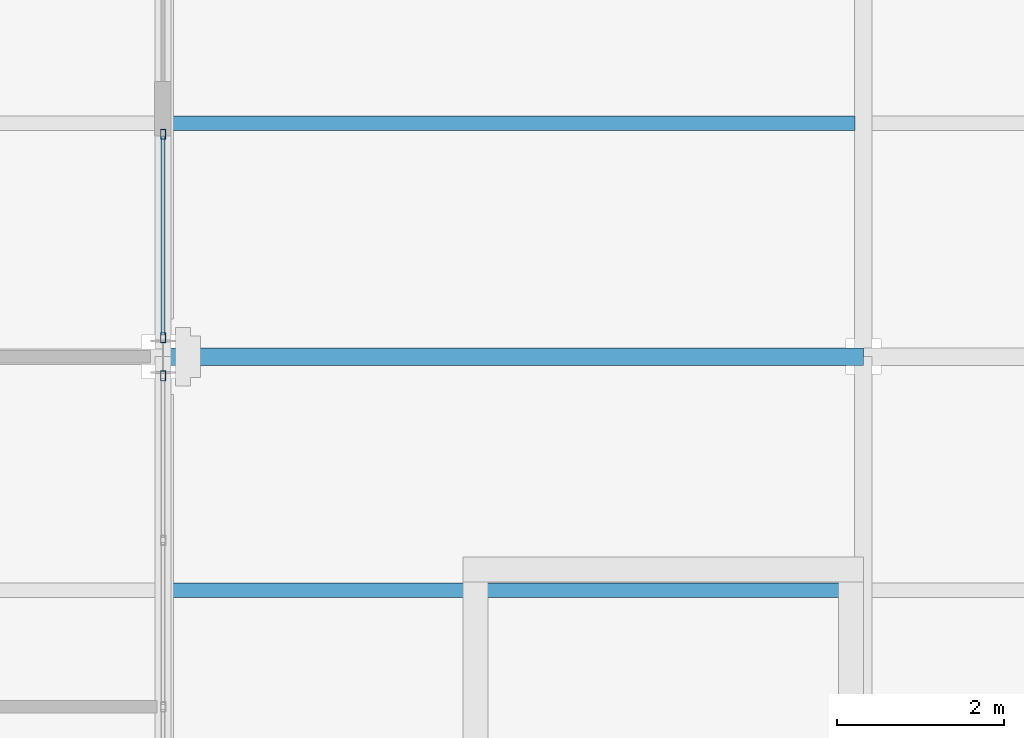
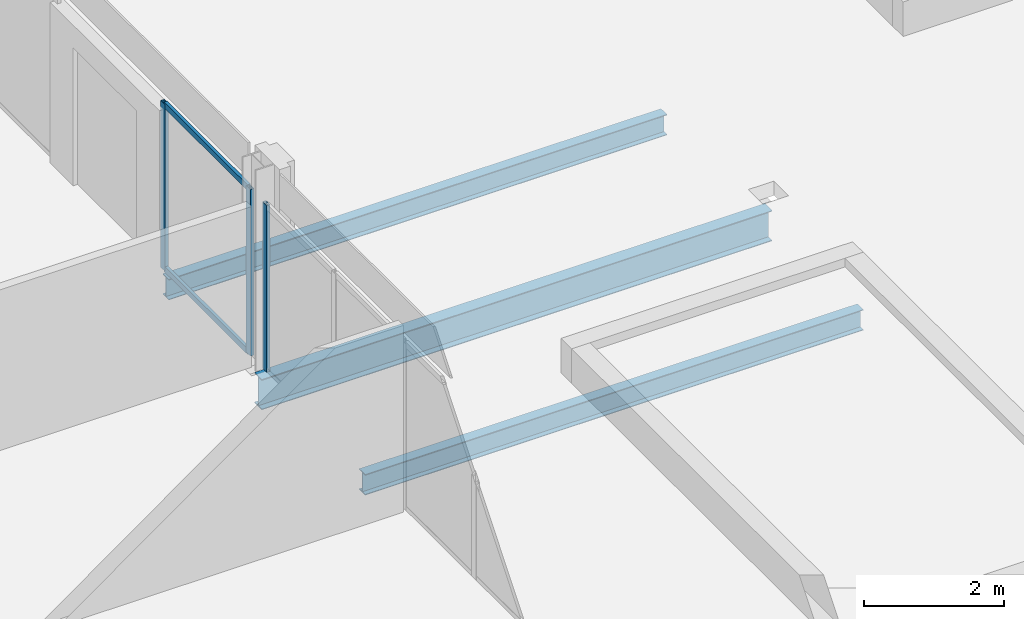
# One storey, part 10 of 32: 5 members, 3 beams, 2 elements without a shape of their own.
"""IFC4 building model written with IfcOpenShell, lengths in metres."""

import ifcopenshell
import ifcopenshell.guid

model = None  # the IFC model being written
_history = None  # IfcOwnerHistory: only IFC2X3 demands one
_inside = {}  # id of a spatial element -> (the spatial element, [elements in it])
_under = {}  # id of a project, library or spatial element -> (it, [spatial elements below it])
_declared = {}  # id of a project -> (the project, [libraries it declares])
_typed = {}  # id of a type object -> (the type object, [elements of that type])
_made_of = {}  # id of a material, layer set ... -> (it, [elements and type objects made of it])


def new_model(schema):
    """Start an empty IFC model of exactly this schema.

    Asked for "IFC4X3", IfcOpenShell would pick the latest addendum, in which some entities
    have other attributes; the version numbers below select the first issue.
    IFC2X3 requires an IfcOwnerHistory on every rooted entity: one is made here for all.
    """
    global model, _history
    if schema == "IFC4X3":
        model = ifcopenshell.file(schema_version=(4, 3, 0, 0))
    else:
        model = ifcopenshell.file(schema=schema)
    _inside.clear()
    _under.clear()
    _declared.clear()
    _typed.clear()
    _made_of.clear()
    _history = None
    if model.schema == "IFC2X3":
        org = make("IfcOrganization", Name="unknown")
        user = make(
            "IfcPersonAndOrganization",
            ThePerson=make("IfcPerson", FamilyName="unknown"),
            TheOrganization=org,
        )
        app = make(
            "IfcApplication",
            ApplicationDeveloper=org,
            Version="unknown",
            ApplicationFullName="unknown",
            ApplicationIdentifier="unknown",
        )
        _history = make(
            "IfcOwnerHistory",
            OwningUser=user,
            OwningApplication=app,
            ChangeAction="ADDED",
            CreationDate=0,
        )
    return model


def make(cls, **values):
    """One entity of the class cls with the attributes given. An attribute that is None is left unset."""
    return model.create_entity(
        cls, **{name: value for name, value in values.items() if value is not None}
    )


def rooted(cls, **values):
    """An entity with a GlobalId (a new one), such as an element, a storey or a relation."""
    return make(cls, GlobalId=ifcopenshell.guid.new(), OwnerHistory=_history, **values)


def si_unit(unit_type, name, prefix=None):
    """IfcSIUnit, for example si_unit("LENGTHUNIT", "METRE", prefix="MILLI")."""
    return make("IfcSIUnit", UnitType=unit_type, Prefix=prefix, Name=name)


def assignment(units):
    """IfcUnitAssignment: the units of a project."""
    return None if units is None else make("IfcUnitAssignment", Units=units)


def point(xyz):
    """IfcCartesianPoint."""
    return None if xyz is None else make("IfcCartesianPoint", Coordinates=xyz)


def direction(xyz):
    """IfcDirection."""
    return None if xyz is None else make("IfcDirection", DirectionRatios=xyz)


def frame(location, z_axis=None, x_axis=None):
    """IfcAxis2Placement3D, a coordinate frame: its origin and axes. An axis left out is left unset."""
    return make(
        "IfcAxis2Placement3D",
        Location=point(location),
        Axis=direction(z_axis),
        RefDirection=direction(x_axis),
    )


def frame_2d(location, x_axis=None):
    """IfcAxis2Placement2D, a coordinate frame in the plane: its origin and x axis."""
    return make(
        "IfcAxis2Placement2D", Location=point(location), RefDirection=direction(x_axis)
    )


def origin():
    """The frame at (0, 0, 0) with its axes left unset."""
    return frame((0.0, 0.0, 0.0))


def origin_2d():
    """The frame at (0, 0) in the plane with its x axis left unset."""
    return frame_2d((0.0, 0.0))


def place(relative_to, where):
    """IfcLocalPlacement: puts the frame where relative to a parent placement (None: the world)."""
    return make(
        "IfcLocalPlacement", PlacementRelTo=relative_to, RelativePlacement=where
    )


def context(
    kind, dimensions, precision=None, world=None, true_north=None, identifier=None
):
    """IfcGeometricRepresentationContext, for example the 3D "Model" context."""
    return make(
        "IfcGeometricRepresentationContext",
        ContextIdentifier=identifier,
        ContextType=kind,
        CoordinateSpaceDimension=dimensions,
        Precision=precision,
        WorldCoordinateSystem=world,
        TrueNorth=true_north,
    )


def subcontext(parent, identifier, kind, view, scale=None):
    """IfcGeometricRepresentationSubContext, for example "Body" below "Model"."""
    return make(
        "IfcGeometricRepresentationSubContext",
        ContextIdentifier=identifier,
        ContextType=kind,
        ParentContext=parent,
        TargetScale=scale,
        TargetView=view,
    )


def project(units=None, contexts=None):
    """IfcProject with its units and contexts."""
    return rooted(
        "IfcProject",
        Name="project",
        RepresentationContexts=contexts,
        UnitsInContext=assignment(units),
    )


def spatial(cls, under=None, at=None, **own):
    """A site, building, storey or space (cls), placed at a placement, below another one or the project."""
    s = rooted(cls, ObjectPlacement=at, **own)
    if under is not None:
        _under.setdefault(under.id(), (under, []))[1].append(s)
    return s


def profile(cls, at=None, kind="AREA", **sizes):
    """A parametric profile (cls). Its sizes go by their IFC names, for example OverallWidth=200.0."""
    return make(cls, ProfileType=kind, Position=at, **sizes)


def hollow_rectangle(**sizes):
    """IfcRectangleHollowProfileDef."""
    return profile("IfcRectangleHollowProfileDef", **sizes)


def i_section(**sizes):
    """IfcIShapeProfileDef."""
    return profile("IfcIShapeProfileDef", **sizes)


def extrude(swept, where, along, depth):
    """IfcExtrudedAreaSolid: the profile swept, set in the frame where, extruded along a direction by depth."""
    return make(
        "IfcExtrudedAreaSolid",
        SweptArea=swept,
        Position=where,
        ExtrudedDirection=direction(along),
        Depth=depth,
    )


def shape(context_of_items, identifier, shape_type, items):
    """IfcShapeRepresentation: the items that make up one representation, for example the "Body"."""
    return make(
        "IfcShapeRepresentation",
        ContextOfItems=context_of_items,
        RepresentationIdentifier=identifier,
        RepresentationType=shape_type,
        Items=items,
    )


def material(Name=None, Category=None):
    """IfcMaterial."""
    return make("IfcMaterial", Name=Name, Category=Category)


def material_profile(
    of_material, cross_section, Name=None, Category=None, Priority=None
):
    """IfcMaterialProfile: a cross section and its material."""
    return make(
        "IfcMaterialProfile",
        Name=Name,
        Material=of_material,
        Profile=cross_section,
        Priority=Priority,
        Category=Category,
    )


def profile_set(profiles, Name=None, composite=None):
    """IfcMaterialProfileSet."""
    return make(
        "IfcMaterialProfileSet",
        Name=Name,
        MaterialProfiles=profiles,
        CompositeProfile=composite,
    )


def made_of(thing, what):
    """Note that an element or type object is made of a material, layer set ...; save() writes the relation."""
    if what is not None:
        _made_of.setdefault(what.id(), (what, []))[1].append(thing)
    return thing


def type_object(cls, material=None, **own):
    """A type object (cls), such as IfcWallType, which elements share."""
    return made_of(rooted(cls, **own), material)


def element(
    cls,
    number,
    at=None,
    inside=None,
    cuts=None,
    type_object=None,
    material=None,
    context=None,
    identifier="Body",
    shape_type=None,
    held_by="IfcProductDefinitionShape",
    body=None,
    shapes=None,
    **own,
):
    """One element of the class cls, such as IfcWall. Its Tag is "e" and its number.

    at: its placement. inside: the storey or other place that contains it. cuts: it is an
    opening in that element (IfcRelVoidsElement). A single representation is given by context,
    identifier, shape_type and body (its items); several are given by shapes. held_by: the class
    of the entity that holds the representations. save() writes the other relations.
    """
    e = rooted(cls, Tag="e%d" % number, ObjectPlacement=at, **own)
    if body is not None:
        shapes = [shape(context, identifier, shape_type, body)]
    if shapes is not None:
        e.Representation = make(held_by, Representations=shapes)
    if inside is not None:
        _inside.setdefault(inside.id(), (inside, []))[1].append(e)
    if cuts is not None:
        rooted(
            "IfcRelVoidsElement", RelatingBuildingElement=cuts, RelatedOpeningElement=e
        )
    if type_object is not None:
        _typed.setdefault(type_object.id(), (type_object, []))[1].append(e)
    return made_of(e, material)


def aggregate(whole, parts):
    """IfcRelAggregates: a whole, such as a stair, and the parts it consists of."""
    return rooted("IfcRelAggregates", RelatingObject=whole, RelatedObjects=parts)


def save(model, path):
    """Write the relations noted so far, then the file.

    IfcRelAggregates (storeys below a building ...), IfcRelContainedInSpatialStructure (elements
    in a storey), IfcRelDefinesByType, IfcRelAssociatesMaterial and IfcRelDeclares: one each for
    every whole, place, type object, material and project.
    """
    for whole, parts in _under.values():
        aggregate(whole, parts)
    for where, things in _inside.values():
        rooted(
            "IfcRelContainedInSpatialStructure",
            RelatedElements=things,
            RelatingStructure=where,
        )
    for kind, things in _typed.values():
        rooted("IfcRelDefinesByType", RelatedObjects=things, RelatingType=kind)
    for what, things in _made_of.values():
        rooted("IfcRelAssociatesMaterial", RelatedObjects=things, RelatingMaterial=what)
    for by, libraries in _declared.values():
        rooted("IfcRelDeclares", RelatingContext=by, RelatedDefinitions=libraries)
    model.write(path)


model = new_model("IFC4")

# Units and contexts
model_context = context("Model", 3, precision=1e-05, world=origin(), true_north=direction((0.0, 1.0)))
body_context = subcontext(model_context, "Body", "Model", "MODEL_VIEW")
ifc_project = project(units=[si_unit("LENGTHUNIT", "METRE"), si_unit("AREAUNIT", "SQUARE_METRE"), si_unit("VOLUMEUNIT", "CUBIC_METRE"), si_unit("PLANEANGLEUNIT", "RADIAN"), si_unit("MASSUNIT", "GRAM", prefix="KILO")], contexts=[model_context])

# Site, building, storey
site_placement = place(None, origin())
site = spatial("IfcSite", under=ifc_project, at=site_placement, CompositionType="ELEMENT")
building_placement = place(site_placement, origin())
building = spatial("IfcBuilding", under=site, at=building_placement, Name="Catenary Quay Ferry Terminal", CompositionType="ELEMENT")
storey_placement = place(building_placement, frame((0.0, 0.0, 17.10009765625)))
storey = spatial("IfcBuildingStorey", under=building, at=storey_placement, Name="L03", CompositionType="ELEMENT", Elevation=17.10009765625)

# Beams
ifc_material_1 = material(Name="Steel S355", Category="steel")
ifc_material_profile_1 = material_profile(ifc_material_1, i_section(OverallWidth=0.208740234375, OverallDepth=0.5283203125, WebThickness=0.009521484375, FlangeThickness=0.01318359375, at=origin_2d()), Name="UB 533x210x82")
ifc_profile_set_1 = profile_set([ifc_material_profile_1], Name="Steel S355")
beam_type_1 = type_object("IfcBeamType", Name="B5 UB 533x210x82", PredefinedType="BEAM", material=ifc_profile_set_1)
beam_placement = place(storey_placement, frame((50.39990234375, 176.39990234375, -0.51416015625), z_axis=(1.0, 0.0, 0.0), x_axis=(0.0, 1.0, 0.0)))
element("IfcBeam", 1, at=beam_placement, inside=storey, type_object=beam_type_1, Name="Beam B5-005", PredefinedType="BEAM", context=body_context, shape_type="SweptSolid", body=[
    extrude(i_section(OverallWidth=0.208740234375, OverallDepth=0.5283203125, WebThickness=0.009521484375, FlangeThickness=0.01318359375, at=origin_2d()), origin(), (0.0, 0.0, 1.0), 8.400146484375),
])
ifc_material_2 = material(Name="Steel S355", Category="steel")
ifc_material_profile_2 = material_profile(ifc_material_2, i_section(OverallWidth=0.169921875, OverallDepth=0.360107421875, WebThickness=0.008056640625, FlangeThickness=0.0126953125, at=origin_2d()), Name="IPE 360")
ifc_profile_set_2 = profile_set([ifc_material_profile_2], Name="Steel S355")
beam_type_2 = type_object("IfcBeamType", Name="B7 IPE 360", PredefinedType="BEAM", material=ifc_profile_set_2)
for number, where, z_axis, x_axis, name in (
    (2, (50.4951171875, 173.60009765625, -0.43017578125), (1.0, 0.0, 0.0), (0.0, 1.0, 0.0), "Beam B7-007"),
    (3, (50.4951171875, 179.199951171875, -0.43017578125), (1.0, 0.0, 0.0), (0.0, 1.0, 0.0), "Beam B7-009"),
):
    element("IfcBeam", number, at=place(storey_placement, frame(where, z_axis=z_axis, x_axis=x_axis)), inside=storey, type_object=beam_type_2, Name=name, PredefinedType="BEAM", context=body_context, shape_type="SweptSolid", body=[
        extrude(i_section(OverallWidth=0.169921875, OverallDepth=0.360107421875, WebThickness=0.008056640625, FlangeThickness=0.0126953125, at=origin_2d()), origin(), (0.0, 0.0, 1.0), 8.200927734375),
    ])

# Curtain wall, member
ifc_material_3 = material(Name="Aluminium and glass", Category="aluminium")
curtain_wall_type = type_object("IfcCurtainWallType", Name="CWW3", PredefinedType="NOTDEFINED", material=ifc_material_3)
curtain_wall_1_placement = place(storey_placement, origin())
curtain_wall_1 = element("IfcCurtainWall", 4, at=curtain_wall_1_placement, inside=storey, type_object=curtain_wall_type, Name="Wing curtain wall CW144", PredefinedType="NOTDEFINED")
ifc_material_4 = material(Name="Aluminium", Category="aluminium")
ifc_material_profile_3 = material_profile(ifc_material_4, hollow_rectangle(XDim=0.06005859375, YDim=0.1201171875, WallThickness=0.0048828125, at=origin_2d()), Name="MU4")
ifc_profile_set_3 = profile_set([ifc_material_profile_3], Name="Aluminium")
member_type_1 = type_object("IfcMemberType", Name="MU4", PredefinedType="MULLION", material=ifc_profile_set_3)
member_1_placement = place(storey_placement, frame((50.39990234375, 176.169921875, 0.0), z_axis=(0.0, 0.0, 1.0), x_axis=(-1.0, 0.0, 0.0)))
member_1 = element("IfcMember", 5, at=member_1_placement, type_object=member_type_1, Name="CW144 mullion 5", PredefinedType="MULLION", context=body_context, shape_type="SweptSolid", body=[
    extrude(hollow_rectangle(XDim=0.06005859375, YDim=0.1201171875, WallThickness=0.0048828125, at=origin_2d()), origin(), (0.0, 0.0, 1.0), 2.89990234375),
])
aggregate(curtain_wall_1, [member_1])

# Curtain wall, members
curtain_wall_2_placement = place(storey_placement, origin())
curtain_wall_2 = element("IfcCurtainWall", 6, at=curtain_wall_2_placement, inside=storey, type_object=curtain_wall_type, Name="Wing curtain wall CW145", PredefinedType="NOTDEFINED")
member_2_placement = place(storey_placement, frame((50.39990234375, 176.6298828125, 0.0), z_axis=(0.0, 0.0, 1.0), x_axis=(-1.0, 0.0, 0.0)))
member_2 = element("IfcMember", 7, at=member_2_placement, type_object=member_type_1, Name="CW145 mullion 1", PredefinedType="MULLION", context=body_context, shape_type="SweptSolid", body=[
    extrude(hollow_rectangle(XDim=0.06005859375, YDim=0.1201171875, WallThickness=0.0048828125, at=origin_2d()), origin(), (0.0, 0.0, 1.0), 2.89990234375),
])
member_3_placement = place(storey_placement, frame((50.39990234375, 179.070068359375, 0.0), z_axis=(0.0, 0.0, 1.0), x_axis=(-1.0, 0.0, 0.0)))
member_3 = element("IfcMember", 8, at=member_3_placement, type_object=member_type_1, Name="CW145 mullion 2", PredefinedType="MULLION", context=body_context, shape_type="SweptSolid", body=[
    extrude(hollow_rectangle(XDim=0.06005859375, YDim=0.1201171875, WallThickness=0.0048828125, at=origin_2d()), origin(), (0.0, 0.0, 1.0), 2.89990234375),
])
ifc_material_5 = material(Name="Aluminium", Category="aluminium")
ifc_material_profile_4 = material_profile(ifc_material_5, hollow_rectangle(XDim=0.050048828125, YDim=0.10009765625, WallThickness=0.00390625, at=origin_2d()), Name="TR4")
ifc_profile_set_4 = profile_set([ifc_material_profile_4], Name="Aluminium")
member_type_2 = type_object("IfcMemberType", Name="TR4", PredefinedType="USERDEFINED", material=ifc_profile_set_4)
member_4_placement = place(storey_placement, frame((50.39990234375, 176.659912109375, 0.02490234375), z_axis=(0.0, 1.0, 0.0), x_axis=(-1.0, 0.0, 0.0)))
member_4 = element("IfcMember", 9, at=member_4_placement, type_object=member_type_2, Name="CW145 transom 1.1", ObjectType="TRANSOM", PredefinedType="USERDEFINED", context=body_context, shape_type="SweptSolid", body=[
    extrude(hollow_rectangle(XDim=0.050048828125, YDim=0.10009765625, WallThickness=0.00390625, at=origin_2d()), origin(), (0.0, 0.0, 1.0), 2.380126953125),
])
member_5_placement = place(storey_placement, frame((50.39990234375, 176.659912109375, 2.875), z_axis=(0.0, 1.0, 0.0), x_axis=(-1.0, 0.0, 0.0)))
member_5 = element("IfcMember", 10, at=member_5_placement, type_object=member_type_2, Name="CW145 transom 1.2", ObjectType="TRANSOM", PredefinedType="USERDEFINED", context=body_context, shape_type="SweptSolid", body=[
    extrude(hollow_rectangle(XDim=0.050048828125, YDim=0.10009765625, WallThickness=0.00390625, at=origin_2d()), origin(), (0.0, 0.0, 1.0), 2.380126953125),
])
aggregate(curtain_wall_2, [member_2, member_3, member_4, member_5])

save(model, "model.ifc")
